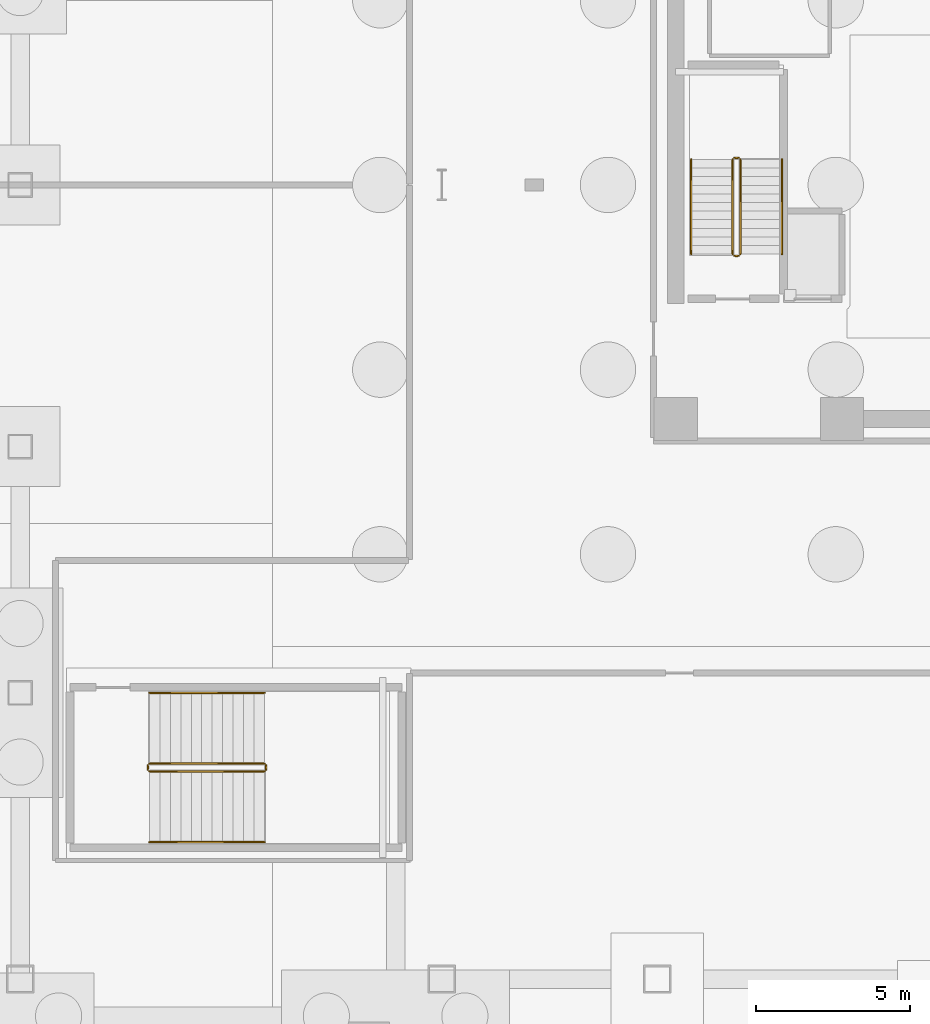
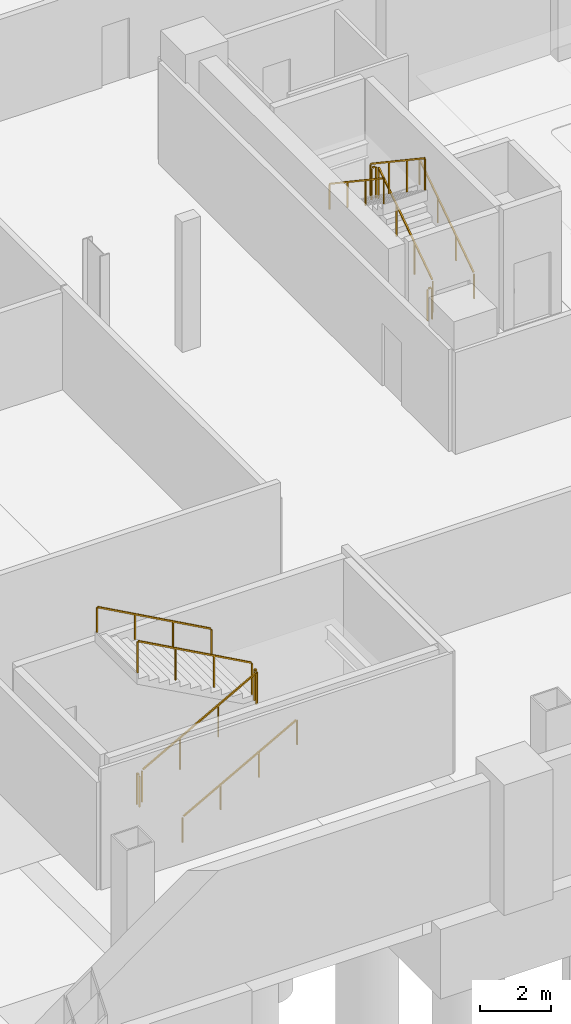
# One storey, part 11 of 15: 12 railings.
"""IFC4 building model written with IfcOpenShell, lengths in metres."""

import ifcopenshell
import ifcopenshell.guid

model = None  # the IFC model being written
_history = None  # IfcOwnerHistory: only IFC2X3 demands one
_inside = {}  # id of a spatial element -> (the spatial element, [elements in it])
_under = {}  # id of a project, library or spatial element -> (it, [spatial elements below it])
_declared = {}  # id of a project -> (the project, [libraries it declares])
_typed = {}  # id of a type object -> (the type object, [elements of that type])
_made_of = {}  # id of a material, layer set ... -> (it, [elements and type objects made of it])


def new_model(schema):
    """Start an empty IFC model of exactly this schema.

    Asked for "IFC4X3", IfcOpenShell would pick the latest addendum, in which some entities
    have other attributes; the version numbers below select the first issue.
    IFC2X3 requires an IfcOwnerHistory on every rooted entity: one is made here for all.
    """
    global model, _history
    if schema == "IFC4X3":
        model = ifcopenshell.file(schema_version=(4, 3, 0, 0))
    else:
        model = ifcopenshell.file(schema=schema)
    _inside.clear()
    _under.clear()
    _declared.clear()
    _typed.clear()
    _made_of.clear()
    _history = None
    if model.schema == "IFC2X3":
        org = make("IfcOrganization", Name="unknown")
        user = make(
            "IfcPersonAndOrganization",
            ThePerson=make("IfcPerson", FamilyName="unknown"),
            TheOrganization=org,
        )
        app = make(
            "IfcApplication",
            ApplicationDeveloper=org,
            Version="unknown",
            ApplicationFullName="unknown",
            ApplicationIdentifier="unknown",
        )
        _history = make(
            "IfcOwnerHistory",
            OwningUser=user,
            OwningApplication=app,
            ChangeAction="ADDED",
            CreationDate=0,
        )
    return model


def make(cls, **values):
    """One entity of the class cls with the attributes given. An attribute that is None is left unset."""
    return model.create_entity(
        cls, **{name: value for name, value in values.items() if value is not None}
    )


def rooted(cls, **values):
    """An entity with a GlobalId (a new one), such as an element, a storey or a relation."""
    return make(cls, GlobalId=ifcopenshell.guid.new(), OwnerHistory=_history, **values)


def si_unit(unit_type, name, prefix=None):
    """IfcSIUnit, for example si_unit("LENGTHUNIT", "METRE", prefix="MILLI")."""
    return make("IfcSIUnit", UnitType=unit_type, Prefix=prefix, Name=name)


def assignment(units):
    """IfcUnitAssignment: the units of a project."""
    return None if units is None else make("IfcUnitAssignment", Units=units)


def point(xyz):
    """IfcCartesianPoint."""
    return None if xyz is None else make("IfcCartesianPoint", Coordinates=xyz)


def direction(xyz):
    """IfcDirection."""
    return None if xyz is None else make("IfcDirection", DirectionRatios=xyz)


def frame(location, z_axis=None, x_axis=None):
    """IfcAxis2Placement3D, a coordinate frame: its origin and axes. An axis left out is left unset."""
    return make(
        "IfcAxis2Placement3D",
        Location=point(location),
        Axis=direction(z_axis),
        RefDirection=direction(x_axis),
    )


def frame_2d(location, x_axis=None):
    """IfcAxis2Placement2D, a coordinate frame in the plane: its origin and x axis."""
    return make(
        "IfcAxis2Placement2D", Location=point(location), RefDirection=direction(x_axis)
    )


def origin():
    """The frame at (0, 0, 0) with its axes left unset."""
    return frame((0.0, 0.0, 0.0))


def origin_2d():
    """The frame at (0, 0) in the plane with its x axis left unset."""
    return frame_2d((0.0, 0.0))


def place(relative_to, where):
    """IfcLocalPlacement: puts the frame where relative to a parent placement (None: the world)."""
    return make(
        "IfcLocalPlacement", PlacementRelTo=relative_to, RelativePlacement=where
    )


def context(
    kind, dimensions, precision=None, world=None, true_north=None, identifier=None
):
    """IfcGeometricRepresentationContext, for example the 3D "Model" context."""
    return make(
        "IfcGeometricRepresentationContext",
        ContextIdentifier=identifier,
        ContextType=kind,
        CoordinateSpaceDimension=dimensions,
        Precision=precision,
        WorldCoordinateSystem=world,
        TrueNorth=true_north,
    )


def subcontext(parent, identifier, kind, view, scale=None):
    """IfcGeometricRepresentationSubContext, for example "Body" below "Model"."""
    return make(
        "IfcGeometricRepresentationSubContext",
        ContextIdentifier=identifier,
        ContextType=kind,
        ParentContext=parent,
        TargetScale=scale,
        TargetView=view,
    )


def project(units=None, contexts=None):
    """IfcProject with its units and contexts."""
    return rooted(
        "IfcProject",
        Name="project",
        RepresentationContexts=contexts,
        UnitsInContext=assignment(units),
    )


def spatial(cls, under=None, at=None, **own):
    """A site, building, storey or space (cls), placed at a placement, below another one or the project."""
    s = rooted(cls, ObjectPlacement=at, **own)
    if under is not None:
        _under.setdefault(under.id(), (under, []))[1].append(s)
    return s


def profile(cls, at=None, kind="AREA", **sizes):
    """A parametric profile (cls). Its sizes go by their IFC names, for example OverallWidth=200.0."""
    return make(cls, ProfileType=kind, Position=at, **sizes)


def rectangle(**sizes):
    """IfcRectangleProfileDef."""
    return profile("IfcRectangleProfileDef", **sizes)


def extrude(swept, where, along, depth):
    """IfcExtrudedAreaSolid: the profile swept, set in the frame where, extruded along a direction by depth."""
    return make(
        "IfcExtrudedAreaSolid",
        SweptArea=swept,
        Position=where,
        ExtrudedDirection=direction(along),
        Depth=depth,
    )


def shape(context_of_items, identifier, shape_type, items):
    """IfcShapeRepresentation: the items that make up one representation, for example the "Body"."""
    return make(
        "IfcShapeRepresentation",
        ContextOfItems=context_of_items,
        RepresentationIdentifier=identifier,
        RepresentationType=shape_type,
        Items=items,
    )


def material(Name=None, Category=None):
    """IfcMaterial."""
    return make("IfcMaterial", Name=Name, Category=Category)


def made_of(thing, what):
    """Note that an element or type object is made of a material, layer set ...; save() writes the relation."""
    if what is not None:
        _made_of.setdefault(what.id(), (what, []))[1].append(thing)
    return thing


def type_object(cls, material=None, **own):
    """A type object (cls), such as IfcWallType, which elements share."""
    return made_of(rooted(cls, **own), material)


def element(
    cls,
    number,
    at=None,
    inside=None,
    cuts=None,
    type_object=None,
    material=None,
    context=None,
    identifier="Body",
    shape_type=None,
    held_by="IfcProductDefinitionShape",
    body=None,
    shapes=None,
    **own,
):
    """One element of the class cls, such as IfcWall. Its Tag is "e" and its number.

    at: its placement. inside: the storey or other place that contains it. cuts: it is an
    opening in that element (IfcRelVoidsElement). A single representation is given by context,
    identifier, shape_type and body (its items); several are given by shapes. held_by: the class
    of the entity that holds the representations. save() writes the other relations.
    """
    e = rooted(cls, Tag="e%d" % number, ObjectPlacement=at, **own)
    if body is not None:
        shapes = [shape(context, identifier, shape_type, body)]
    if shapes is not None:
        e.Representation = make(held_by, Representations=shapes)
    if inside is not None:
        _inside.setdefault(inside.id(), (inside, []))[1].append(e)
    if cuts is not None:
        rooted(
            "IfcRelVoidsElement", RelatingBuildingElement=cuts, RelatedOpeningElement=e
        )
    if type_object is not None:
        _typed.setdefault(type_object.id(), (type_object, []))[1].append(e)
    return made_of(e, material)


def aggregate(whole, parts):
    """IfcRelAggregates: a whole, such as a stair, and the parts it consists of."""
    return rooted("IfcRelAggregates", RelatingObject=whole, RelatedObjects=parts)


def save(model, path):
    """Write the relations noted so far, then the file.

    IfcRelAggregates (storeys below a building ...), IfcRelContainedInSpatialStructure (elements
    in a storey), IfcRelDefinesByType, IfcRelAssociatesMaterial and IfcRelDeclares: one each for
    every whole, place, type object, material and project.
    """
    for whole, parts in _under.values():
        aggregate(whole, parts)
    for where, things in _inside.values():
        rooted(
            "IfcRelContainedInSpatialStructure",
            RelatedElements=things,
            RelatingStructure=where,
        )
    for kind, things in _typed.values():
        rooted("IfcRelDefinesByType", RelatedObjects=things, RelatingType=kind)
    for what, things in _made_of.values():
        rooted("IfcRelAssociatesMaterial", RelatedObjects=things, RelatingMaterial=what)
    for by, libraries in _declared.values():
        rooted("IfcRelDeclares", RelatingContext=by, RelatedDefinitions=libraries)
    model.write(path)


model = new_model("IFC4")

# Units and contexts
model_context = context("Model", 3, precision=1e-05, world=origin(), true_north=direction((0.0, 1.0)))
body_context = subcontext(model_context, "Body", "Model", "MODEL_VIEW")
ifc_project = project(units=[si_unit("LENGTHUNIT", "METRE"), si_unit("AREAUNIT", "SQUARE_METRE"), si_unit("VOLUMEUNIT", "CUBIC_METRE"), si_unit("PLANEANGLEUNIT", "RADIAN"), si_unit("MASSUNIT", "GRAM", prefix="KILO")], contexts=[model_context])

# Site, building, storey
site_placement = place(None, origin())
site = spatial("IfcSite", under=ifc_project, at=site_placement, CompositionType="ELEMENT")
building_placement = place(site_placement, origin())
building = spatial("IfcBuilding", under=site, at=building_placement, Name="Tharavind Bronze Gate", CompositionType="ELEMENT")
storey_placement = place(building_placement, frame((0.0, 0.0, -9.0)))
storey = spatial("IfcBuildingStorey", under=building, at=storey_placement, Name="B02", CompositionType="ELEMENT", Elevation=-9.0)

# Railings
ifc_material = material(Name="Brushed Bronze Alloy", Category="metal")
railing_type_1 = type_object("IfcRailingType", Name="STAIR BRONZE HANDRAIL 900", PredefinedType="HANDRAIL", material=ifc_material)
railing_1_placement = place(storey_placement, frame((-5.449951171875, -2.25, 0.1875)))
element("IfcRailing", 1, at=railing_1_placement, inside=storey, type_object=railing_type_1, Name="B02 ST1 stair handrail 1", PredefinedType="HANDRAIL", context=body_context, shape_type="SweptSolid", body=[
    extrude(rectangle(XDim=0.048095703125, YDim=0.048095703125, at=origin_2d()), frame((0.0, 0.026611328125, 0.8935546875), z_axis=(0.0, 0.830913701846, 0.55640131208), x_axis=(-1.0, 0.0, 0.0)), (0.0, 0.0, 1.0), 3.642822265625),
    extrude(rectangle(XDim=0.0400390625, YDim=0.0400390625, at=origin_2d()), origin(), (0.0, 0.0, 1.0), 0.847900390625),
    extrude(rectangle(XDim=0.0400390625, YDim=0.0400390625, at=origin_2d()), frame((0.0, 1.026611328125, 0.6875)), (0.0, 0.0, 1.0), 0.847900390625),
    extrude(rectangle(XDim=0.0400390625, YDim=0.0400390625, at=origin_2d()), frame((0.0, 2.053466796875, 1.375)), (0.0, 0.0, 1.0), 0.847900390625),
    extrude(rectangle(XDim=0.0400390625, YDim=0.0400390625, at=origin_2d()), frame((0.0, 3.080078125, 2.0625)), (0.0, 0.0, 1.0), 0.847900390625),
])
railing_2_placement = place(storey_placement, frame((-8.39990234375, 0.830078125, 2.4375)))
element("IfcRailing", 2, at=railing_2_placement, inside=storey, type_object=railing_type_1, Name="B02 ST1 stair handrail 2", PredefinedType="HANDRAIL", context=body_context, shape_type="SweptSolid", body=[
    extrude(rectangle(XDim=0.048095703125, YDim=0.048095703125, at=origin_2d()), frame((0.0, -0.026611328125, 0.8935546875), z_axis=(0.0, -0.830913701846, 0.55640131208), x_axis=(1.0, 0.0, 0.0)), (0.0, 0.0, 1.0), 3.642822265625),
    extrude(rectangle(XDim=0.0400390625, YDim=0.0400390625, at=origin_2d()), origin(), (0.0, 0.0, 1.0), 0.847900390625),
    extrude(rectangle(XDim=0.0400390625, YDim=0.0400390625, at=origin_2d()), frame((0.0, -1.026611328125, 0.6875)), (0.0, 0.0, 1.0), 0.847900390625),
    extrude(rectangle(XDim=0.0400390625, YDim=0.0400390625, at=origin_2d()), frame((0.0, -2.053466796875, 1.375)), (0.0, 0.0, 1.0), 0.847900390625),
    extrude(rectangle(XDim=0.0400390625, YDim=0.0400390625, at=origin_2d()), frame((0.0, -3.080078125, 2.0625)), (0.0, 0.0, 1.0), 0.847900390625),
])
railing_3_placement = place(storey_placement, frame((-26.0, -21.35009765625, 0.1875)))
element("IfcRailing", 3, at=railing_3_placement, inside=storey, type_object=railing_type_1, Name="B02 ST3 stair handrail 1", PredefinedType="HANDRAIL", context=body_context, shape_type="SweptSolid", body=[
    extrude(rectangle(XDim=0.048095703125, YDim=0.048095703125, at=origin_2d()), frame((0.028076171875, 0.0, 0.891357421875), z_axis=(0.875671045107, 0.0, 0.482908087281), x_axis=(0.0, 1.0, 0.0)), (0.0, 0.0, 1.0), 4.20703125),
    extrude(rectangle(XDim=0.0400390625, YDim=0.0400390625, at=origin_2d()), origin(), (0.0, 0.0, 1.0), 0.847900390625),
    extrude(rectangle(XDim=0.0400390625, YDim=0.0400390625, at=origin_2d()), frame((1.24658203125, 0.0, 0.6875)), (0.0, 0.0, 1.0), 0.847900390625),
    extrude(rectangle(XDim=0.0400390625, YDim=0.0400390625, at=origin_2d()), frame((2.493408203125, 0.0, 1.375)), (0.0, 0.0, 1.0), 0.847900390625),
    extrude(rectangle(XDim=0.0400390625, YDim=0.0400390625, at=origin_2d()), frame((3.739990234375, 0.0, 2.0625)), (0.0, 0.0, 1.0), 0.847900390625),
])
railing_4_placement = place(storey_placement, frame((-22.260009765625, -16.5, 2.4375)))
element("IfcRailing", 4, at=railing_4_placement, inside=storey, type_object=railing_type_1, Name="B02 ST3 stair handrail 2", PredefinedType="HANDRAIL", context=body_context, shape_type="SweptSolid", body=[
    extrude(rectangle(XDim=0.048095703125, YDim=0.048095703125, at=origin_2d()), frame((-0.028076171875, 0.0, 0.891357421875), z_axis=(-0.875671045107, 0.0, 0.482908087281), x_axis=(0.0, -1.0, 0.0)), (0.0, 0.0, 1.0), 4.20703125),
    extrude(rectangle(XDim=0.0400390625, YDim=0.0400390625, at=origin_2d()), origin(), (0.0, 0.0, 1.0), 0.847900390625),
    extrude(rectangle(XDim=0.0400390625, YDim=0.0400390625, at=origin_2d()), frame((-1.24658203125, 0.0, 0.6875)), (0.0, 0.0, 1.0), 0.847900390625),
    extrude(rectangle(XDim=0.0400390625, YDim=0.0400390625, at=origin_2d()), frame((-2.493408203125, 0.0, 1.375)), (0.0, 0.0, 1.0), 0.847900390625),
    extrude(rectangle(XDim=0.0400390625, YDim=0.0400390625, at=origin_2d()), frame((-3.739990234375, 0.0, 2.0625)), (0.0, 0.0, 1.0), 0.847900390625),
])
railing_type_2 = type_object("IfcRailingType", Name="STAIR WELL GUARD RAILING 1120", PredefinedType="GUARDRAIL", material=ifc_material)
railing_5_placement = place(storey_placement, frame((-6.800048828125, -2.25, 0.1875)))
element("IfcRailing", 5, at=railing_5_placement, inside=storey, type_object=railing_type_2, Name="B02 ST1 stair guard 1", PredefinedType="GUARDRAIL", context=body_context, shape_type="SweptSolid", body=[
    extrude(rectangle(XDim=0.048095703125, YDim=0.048095703125, at=origin_2d()), frame((0.0, 0.026611328125, 1.11376953125), z_axis=(0.0, 0.830913701846, 0.55640131208), x_axis=(-1.0, 0.0, 0.0)), (0.0, 0.0, 1.0), 3.642822265625),
    extrude(rectangle(XDim=0.0400390625, YDim=0.0400390625, at=origin_2d()), origin(), (0.0, 0.0, 1.0), 1.068115234375),
    extrude(rectangle(XDim=0.0400390625, YDim=0.0400390625, at=origin_2d()), frame((0.0, 1.026611328125, 0.6875)), (0.0, 0.0, 1.0), 1.068115234375),
    extrude(rectangle(XDim=0.0400390625, YDim=0.0400390625, at=origin_2d()), frame((0.0, 2.053466796875, 1.375)), (0.0, 0.0, 1.0), 1.068115234375),
    extrude(rectangle(XDim=0.0400390625, YDim=0.0400390625, at=origin_2d()), frame((0.0, 3.080078125, 2.0625)), (0.0, 0.0, 1.0), 1.068115234375),
])
railing_6_placement = place(storey_placement, frame((-6.85009765625, 0.8798828125, 2.25)))
element("IfcRailing", 6, at=railing_6_placement, inside=storey, type_object=railing_type_2, Name="B02 ST1 stair guard 2", PredefinedType="GUARDRAIL", context=body_context, shape_type="SweptSolid", body=[
    extrude(rectangle(XDim=0.048095703125, YDim=0.048095703125, at=origin_2d()), frame((-0.031982421875, 0.0, 1.09619140625), z_axis=(-1.0, 0.0, 0.0), x_axis=(0.0, -1.0, 0.0)), (0.0, 0.0, 1.0), 0.0859375),
    extrude(rectangle(XDim=0.0400390625, YDim=0.0400390625, at=origin_2d()), origin(), (0.0, 0.0, 1.0), 1.068115234375),
    extrude(rectangle(XDim=0.0400390625, YDim=0.0400390625, at=origin_2d()), frame((-0.14990234375, 0.0, 0.0)), (0.0, 0.0, 1.0), 1.068115234375),
])
railing_7_placement = place(storey_placement, frame((-7.050048828125, 0.830078125, 2.4375)))
element("IfcRailing", 7, at=railing_7_placement, inside=storey, type_object=railing_type_2, Name="B02 ST1 stair guard 3", PredefinedType="GUARDRAIL", context=body_context, shape_type="SweptSolid", body=[
    extrude(rectangle(XDim=0.048095703125, YDim=0.048095703125, at=origin_2d()), frame((0.0, -0.026611328125, 1.11376953125), z_axis=(0.0, -0.830913701846, 0.55640131208), x_axis=(1.0, 0.0, 0.0)), (0.0, 0.0, 1.0), 3.642822265625),
    extrude(rectangle(XDim=0.0400390625, YDim=0.0400390625, at=origin_2d()), origin(), (0.0, 0.0, 1.0), 1.068115234375),
    extrude(rectangle(XDim=0.0400390625, YDim=0.0400390625, at=origin_2d()), frame((0.0, -1.026611328125, 0.6875)), (0.0, 0.0, 1.0), 1.068115234375),
    extrude(rectangle(XDim=0.0400390625, YDim=0.0400390625, at=origin_2d()), frame((0.0, -2.053466796875, 1.375)), (0.0, 0.0, 1.0), 1.068115234375),
    extrude(rectangle(XDim=0.0400390625, YDim=0.0400390625, at=origin_2d()), frame((0.0, -3.080078125, 2.0625)), (0.0, 0.0, 1.0), 1.068115234375),
])
railing_8_placement = place(storey_placement, frame((-6.85009765625, -2.300048828125, 0.0)))
element("IfcRailing", 8, at=railing_8_placement, inside=storey, type_object=railing_type_2, Name="B02 ST1 stair guard 4", PredefinedType="GUARDRAIL", context=body_context, shape_type="SweptSolid", body=[
    extrude(rectangle(XDim=0.048095703125, YDim=0.048095703125, at=origin_2d()), frame((-0.031982421875, 0.0, 1.09619140625), z_axis=(-1.0, 0.0, 0.0), x_axis=(0.0, -1.0, 0.0)), (0.0, 0.0, 1.0), 0.0859375),
    extrude(rectangle(XDim=0.0400390625, YDim=0.0400390625, at=origin_2d()), origin(), (0.0, 0.0, 1.0), 1.068115234375),
    extrude(rectangle(XDim=0.0400390625, YDim=0.0400390625, at=origin_2d()), frame((-0.14990234375, 0.0, 0.0)), (0.0, 0.0, 1.0), 1.068115234375),
])
railing_9_placement = place(storey_placement, frame((-26.0, -19.050048828125, 0.1875)))
element("IfcRailing", 9, at=railing_9_placement, inside=storey, type_object=railing_type_2, Name="B02 ST3 stair guard 1", PredefinedType="GUARDRAIL", context=body_context, shape_type="SweptSolid", body=[
    extrude(rectangle(XDim=0.048095703125, YDim=0.048095703125, at=origin_2d()), frame((0.028076171875, 0.0, 1.111572265625), z_axis=(0.875671045107, 0.0, 0.482908087281), x_axis=(0.0, 1.0, 0.0)), (0.0, 0.0, 1.0), 4.20703125),
    extrude(rectangle(XDim=0.0400390625, YDim=0.0400390625, at=origin_2d()), origin(), (0.0, 0.0, 1.0), 1.068115234375),
    extrude(rectangle(XDim=0.0400390625, YDim=0.0400390625, at=origin_2d()), frame((1.24658203125, 0.0, 0.6875)), (0.0, 0.0, 1.0), 1.068115234375),
    extrude(rectangle(XDim=0.0400390625, YDim=0.0400390625, at=origin_2d()), frame((2.493408203125, 0.0, 1.375)), (0.0, 0.0, 1.0), 1.068115234375),
    extrude(rectangle(XDim=0.0400390625, YDim=0.0400390625, at=origin_2d()), frame((3.739990234375, 0.0, 2.0625)), (0.0, 0.0, 1.0), 1.068115234375),
])
railing_10_placement = place(storey_placement, frame((-22.2099609375, -19.0, 2.25)))
element("IfcRailing", 10, at=railing_10_placement, inside=storey, type_object=railing_type_2, Name="B02 ST3 stair guard 2", PredefinedType="GUARDRAIL", context=body_context, shape_type="SweptSolid", body=[
    extrude(rectangle(XDim=0.048095703125, YDim=0.048095703125, at=origin_2d()), frame((0.0, 0.031982421875, 1.09619140625), z_axis=(0.0, 1.0, 0.0), x_axis=(-1.0, 0.0, 0.0)), (0.0, 0.0, 1.0), 0.0859375),
    extrude(rectangle(XDim=0.0400390625, YDim=0.0400390625, at=origin_2d()), origin(), (0.0, 0.0, 1.0), 1.068115234375),
    extrude(rectangle(XDim=0.0400390625, YDim=0.0400390625, at=origin_2d()), frame((0.0, 0.14990234375, 0.0)), (0.0, 0.0, 1.0), 1.068115234375),
])
railing_11_placement = place(storey_placement, frame((-22.260009765625, -18.800048828125, 2.4375)))
element("IfcRailing", 11, at=railing_11_placement, inside=storey, type_object=railing_type_2, Name="B02 ST3 stair guard 3", PredefinedType="GUARDRAIL", context=body_context, shape_type="SweptSolid", body=[
    extrude(rectangle(XDim=0.048095703125, YDim=0.048095703125, at=origin_2d()), frame((-0.028076171875, 0.0, 1.111572265625), z_axis=(-0.875671045107, 0.0, 0.482908087281), x_axis=(0.0, -1.0, 0.0)), (0.0, 0.0, 1.0), 4.20703125),
    extrude(rectangle(XDim=0.0400390625, YDim=0.0400390625, at=origin_2d()), origin(), (0.0, 0.0, 1.0), 1.068115234375),
    extrude(rectangle(XDim=0.0400390625, YDim=0.0400390625, at=origin_2d()), frame((-1.24658203125, 0.0, 0.6875)), (0.0, 0.0, 1.0), 1.068115234375),
    extrude(rectangle(XDim=0.0400390625, YDim=0.0400390625, at=origin_2d()), frame((-2.493408203125, 0.0, 1.375)), (0.0, 0.0, 1.0), 1.068115234375),
    extrude(rectangle(XDim=0.0400390625, YDim=0.0400390625, at=origin_2d()), frame((-3.739990234375, 0.0, 2.0625)), (0.0, 0.0, 1.0), 1.068115234375),
])
railing_12_placement = place(storey_placement, frame((-26.050048828125, -19.0, 0.0)))
element("IfcRailing", 12, at=railing_12_placement, inside=storey, type_object=railing_type_2, Name="B02 ST3 stair guard 4", PredefinedType="GUARDRAIL", context=body_context, shape_type="SweptSolid", body=[
    extrude(rectangle(XDim=0.048095703125, YDim=0.048095703125, at=origin_2d()), frame((0.0, 0.031982421875, 1.09619140625), z_axis=(0.0, 1.0, 0.0), x_axis=(-1.0, 0.0, 0.0)), (0.0, 0.0, 1.0), 0.0859375),
    extrude(rectangle(XDim=0.0400390625, YDim=0.0400390625, at=origin_2d()), origin(), (0.0, 0.0, 1.0), 1.068115234375),
    extrude(rectangle(XDim=0.0400390625, YDim=0.0400390625, at=origin_2d()), frame((0.0, 0.14990234375, 0.0)), (0.0, 0.0, 1.0), 1.068115234375),
])

save(model, "model.ifc")
